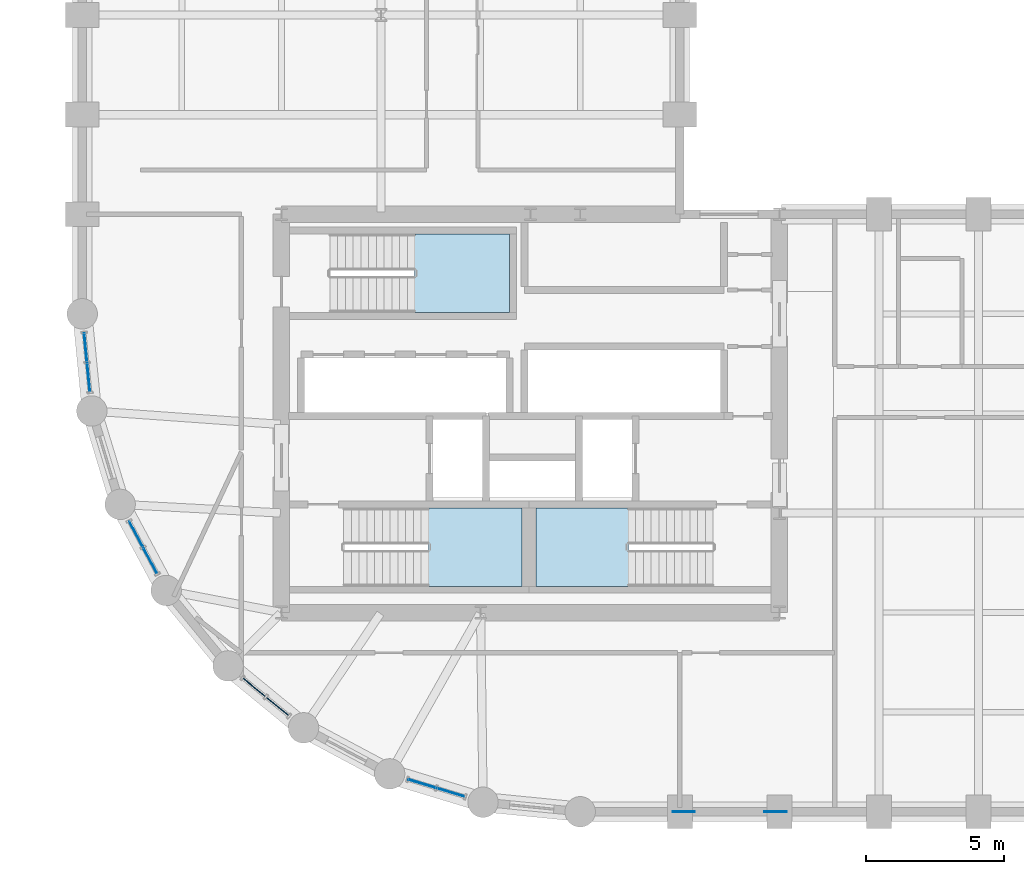
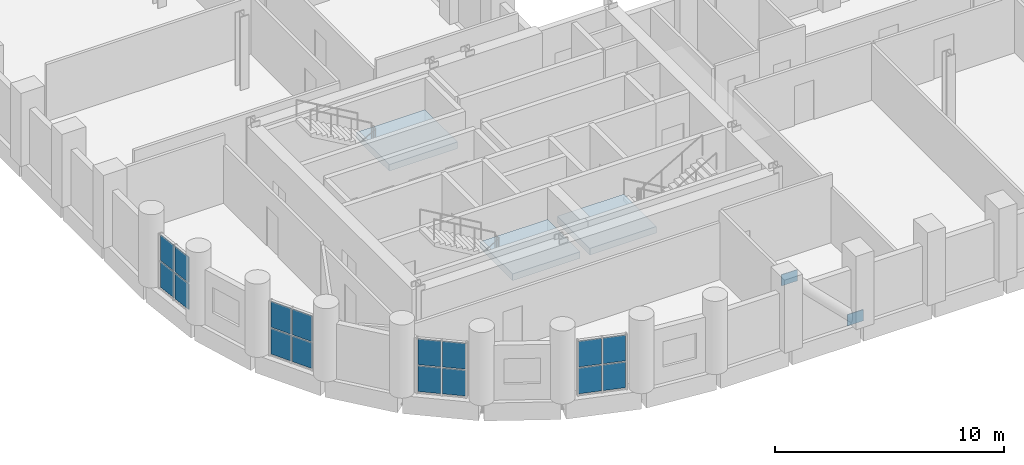
# One storey, part 7 of 13: 18 plates, 3 slabs, 7 elements without a shape of their own.
"""IFC4 building model written with IfcOpenShell, lengths in metres."""

from ifc_helpers import new_model, si_unit, direction, frame, origin, origin_2d, place, context, subcontext, project, spatial, polyline, rectangle, outline, extrude, material, layer, layer_set, type_object, element, aggregate, save


model = new_model("IFC4")

# Units and contexts
model_context = context("Model", 3, precision=1e-05, world=origin(), true_north=direction((0.0, 1.0)))
body_context = subcontext(model_context, "Body", "Model", "MODEL_VIEW")
ifc_project = project(units=[si_unit("LENGTHUNIT", "METRE"), si_unit("AREAUNIT", "SQUARE_METRE"), si_unit("VOLUMEUNIT", "CUBIC_METRE"), si_unit("PLANEANGLEUNIT", "RADIAN"), si_unit("MASSUNIT", "GRAM", prefix="KILO")], contexts=[model_context])

# Site, building, storey
site_placement = place(None, origin())
site = spatial("IfcSite", under=ifc_project, at=site_placement, CompositionType="ELEMENT")
building_placement = place(site_placement, origin())
building = spatial("IfcBuilding", under=site, at=building_placement, Name="Solnavia Interchange Tower", CompositionType="ELEMENT")
storey_placement = place(building_placement, frame((0.0, 0.0, 51.300048828125)))
storey = spatial("IfcBuildingStorey", under=building, at=storey_placement, Name="L12", CompositionType="ELEMENT", Elevation=51.300048828125)

# Curtain wall, plates
ifc_material_1 = material(Name="Aluminium Alloy 6063-T6", Category="aluminium")
ifc_layer_1 = layer(ifc_material_1, 0.239990234375)
ifc_layer_set_1 = layer_set([ifc_layer_1], Name="Aluminium Alloy 6063-T6")
curtain_wall_type = type_object("IfcCurtainWallType", Name="CurtainWall-Drum-CTW2", PredefinedType="NOTDEFINED", material=ifc_layer_set_1)
curtain_wall_1_placement = place(storey_placement, origin())
curtain_wall_1 = element("IfcCurtainWall", 1, at=curtain_wall_1_placement, inside=storey, type_object=curtain_wall_type, Name="CTW-L12-D59 CTW-2 curtain wall", PredefinedType="NOTDEFINED")
ifc_material_2 = material(Name="Double-Glazed Low-E IGU Glass", Category="glass")
ifc_layer_2 = layer(ifc_material_2, 0.031982421875)
ifc_layer_set_2 = layer_set([ifc_layer_2], Name="Double-Glazed Low-E IGU Glass")
plate_type_1 = type_object("IfcPlateType", Name="CW-Panel-Solar-32", PredefinedType="CURTAIN_PANEL", material=ifc_layer_set_2)
plate_1_placement = place(storey_placement, frame((7.319580078125, 20.38623046875, 0.06494140625), z_axis=(0.0, 0.0, 1.0), x_axis=(0.098045297616, -0.995181953019, 0.0)))
plate_1 = element("IfcPlate", 2, at=plate_1_placement, type_object=plate_type_1, Name="CTW-2 panel 1.1", PredefinedType="CURTAIN_PANEL", context=body_context, shape_type="SweptSolid", body=[
    extrude(rectangle(XDim=1.0146484375, YDim=0.031982421875, at=origin_2d()), origin(), (0.0, 0.0, 1.0), 1.367431640625),
])
plate_2_placement = place(storey_placement, frame((7.319580078125, 20.38623046875, 1.49755859375), z_axis=(0.0, 0.0, 1.0), x_axis=(0.098045297616, -0.995181953019, 0.0)))
plate_2 = element("IfcPlate", 3, at=plate_2_placement, type_object=plate_type_1, Name="CTW-2 panel 1.2", PredefinedType="CURTAIN_PANEL", context=body_context, shape_type="SweptSolid", body=[
    extrude(rectangle(XDim=1.0146484375, YDim=0.031982421875, at=origin_2d()), origin(), (0.0, 0.0, 1.0), 1.367431640625),
])
plate_3_placement = place(storey_placement, frame((7.426513671875, 19.3017578125, 0.06494140625), z_axis=(0.0, 0.0, 1.0), x_axis=(0.098045297616, -0.995181953019, 0.0)))
plate_3 = element("IfcPlate", 4, at=plate_3_placement, type_object=plate_type_1, Name="CTW-2 panel 2.1", PredefinedType="CURTAIN_PANEL", context=body_context, shape_type="SweptSolid", body=[
    extrude(rectangle(XDim=1.0146484375, YDim=0.031982421875, at=origin_2d()), origin(), (0.0, 0.0, 1.0), 1.367431640625),
])
plate_4_placement = place(storey_placement, frame((7.426513671875, 19.3017578125, 1.49755859375), z_axis=(0.0, 0.0, 1.0), x_axis=(0.098045297616, -0.995181953019, 0.0)))
plate_4 = element("IfcPlate", 5, at=plate_4_placement, type_object=plate_type_1, Name="CTW-2 panel 2.2", PredefinedType="CURTAIN_PANEL", context=body_context, shape_type="SweptSolid", body=[
    extrude(rectangle(XDim=1.0146484375, YDim=0.031982421875, at=origin_2d()), origin(), (0.0, 0.0, 1.0), 1.367431640625),
])
aggregate(curtain_wall_1, [plate_1, plate_2, plate_3, plate_4])

curtain_wall_2_placement = place(storey_placement, origin())
curtain_wall_2 = element("IfcCurtainWall", 6, at=curtain_wall_2_placement, inside=storey, type_object=curtain_wall_type, Name="CTW-L12-D61 CTW-2 curtain wall", PredefinedType="NOTDEFINED")
plate_5_placement = place(storey_placement, frame((9.14501953125, 13.636474609375, 0.06494140625), z_axis=(0.0, 0.0, 1.0), x_axis=(0.471536719402, -0.881846427818, 0.0)))
plate_5 = element("IfcPlate", 7, at=plate_5_placement, type_object=plate_type_1, Name="CTW-2 panel 1.1", PredefinedType="CURTAIN_PANEL", context=body_context, shape_type="SweptSolid", body=[
    extrude(rectangle(XDim=1.014404296875, YDim=0.031982421875, at=origin_2d()), origin(), (0.0, 0.0, 1.0), 1.367431640625),
])
plate_6_placement = place(storey_placement, frame((9.14501953125, 13.636474609375, 1.49755859375), z_axis=(0.0, 0.0, 1.0), x_axis=(0.471536719402, -0.881846427818, 0.0)))
plate_6 = element("IfcPlate", 8, at=plate_6_placement, type_object=plate_type_1, Name="CTW-2 panel 1.2", PredefinedType="CURTAIN_PANEL", context=body_context, shape_type="SweptSolid", body=[
    extrude(rectangle(XDim=1.014404296875, YDim=0.031982421875, at=origin_2d()), origin(), (0.0, 0.0, 1.0), 1.367431640625),
])
plate_7_placement = place(storey_placement, frame((9.658935546875, 12.675537109375, 0.06494140625), z_axis=(0.0, 0.0, 1.0), x_axis=(0.471536719402, -0.881846427818, 0.0)))
plate_7 = element("IfcPlate", 9, at=plate_7_placement, type_object=plate_type_1, Name="CTW-2 panel 2.1", PredefinedType="CURTAIN_PANEL", context=body_context, shape_type="SweptSolid", body=[
    extrude(rectangle(XDim=1.014404296875, YDim=0.031982421875, at=origin_2d()), origin(), (0.0, 0.0, 1.0), 1.367431640625),
])
plate_8_placement = place(storey_placement, frame((9.658935546875, 12.675537109375, 1.49755859375), z_axis=(0.0, 0.0, 1.0), x_axis=(0.471536719402, -0.881846427818, 0.0)))
plate_8 = element("IfcPlate", 10, at=plate_8_placement, type_object=plate_type_1, Name="CTW-2 panel 2.2", PredefinedType="CURTAIN_PANEL", context=body_context, shape_type="SweptSolid", body=[
    extrude(rectangle(XDim=1.014404296875, YDim=0.031982421875, at=origin_2d()), origin(), (0.0, 0.0, 1.0), 1.367431640625),
])
aggregate(curtain_wall_2, [plate_5, plate_6, plate_7, plate_8])

curtain_wall_3_placement = place(storey_placement, origin())
curtain_wall_3 = element("IfcCurtainWall", 11, at=curtain_wall_3_placement, inside=storey, type_object=curtain_wall_type, Name="CTW-L12-D63 CTW-2 curtain wall", PredefinedType="NOTDEFINED")
plate_9_placement = place(storey_placement, frame((13.4150390625, 8.098388671875, 0.06494140625), z_axis=(0.0, 0.0, 1.0), x_axis=(0.773094572227, -0.634290771172, 0.0)))
plate_9 = element("IfcPlate", 12, at=plate_9_placement, type_object=plate_type_1, Name="CTW-2 panel 1.1", PredefinedType="CURTAIN_PANEL", context=body_context, shape_type="SweptSolid", body=[
    extrude(rectangle(XDim=1.01416015625, YDim=0.031982421875, at=origin_2d()), origin(), (0.0, 0.0, 1.0), 1.367431640625),
])
plate_10_placement = place(storey_placement, frame((13.4150390625, 8.098388671875, 1.49755859375), z_axis=(0.0, 0.0, 1.0), x_axis=(0.773094572227, -0.634290771172, 0.0)))
plate_10 = element("IfcPlate", 13, at=plate_10_placement, type_object=plate_type_1, Name="CTW-2 panel 1.2", PredefinedType="CURTAIN_PANEL", context=body_context, shape_type="SweptSolid", body=[
    extrude(rectangle(XDim=1.01416015625, YDim=0.031982421875, at=origin_2d()), origin(), (0.0, 0.0, 1.0), 1.367431640625),
])
plate_11_placement = place(storey_placement, frame((14.257080078125, 7.407470703125, 0.06494140625), z_axis=(0.0, 0.0, 1.0), x_axis=(0.773094572227, -0.634290771172, 0.0)))
plate_11 = element("IfcPlate", 14, at=plate_11_placement, type_object=plate_type_1, Name="CTW-2 panel 2.1", PredefinedType="CURTAIN_PANEL", context=body_context, shape_type="SweptSolid", body=[
    extrude(rectangle(XDim=1.01416015625, YDim=0.031982421875, at=origin_2d()), origin(), (0.0, 0.0, 1.0), 1.367431640625),
])
plate_12_placement = place(storey_placement, frame((14.257080078125, 7.407470703125, 1.49755859375), z_axis=(0.0, 0.0, 1.0), x_axis=(0.773094572227, -0.634290771172, 0.0)))
plate_12 = element("IfcPlate", 15, at=plate_12_placement, type_object=plate_type_1, Name="CTW-2 panel 2.2", PredefinedType="CURTAIN_PANEL", context=body_context, shape_type="SweptSolid", body=[
    extrude(rectangle(XDim=1.01416015625, YDim=0.031982421875, at=origin_2d()), origin(), (0.0, 0.0, 1.0), 1.367431640625),
])
aggregate(curtain_wall_3, [plate_9, plate_10, plate_11, plate_12])

curtain_wall_4_placement = place(storey_placement, origin())
curtain_wall_4 = element("IfcCurtainWall", 16, at=curtain_wall_4_placement, inside=storey, type_object=curtain_wall_type, Name="CTW-L12-D65 CTW-2 curtain wall", PredefinedType="NOTDEFINED")
plate_13_placement = place(storey_placement, frame((19.47900390625, 4.615966796875, 0.06494140625), z_axis=(0.0, 0.0, 1.0), x_axis=(0.956934759739, -0.290303058206, 0.0)))
plate_13 = element("IfcPlate", 17, at=plate_13_placement, type_object=plate_type_1, Name="CTW-2 panel 1.1", PredefinedType="CURTAIN_PANEL", context=body_context, shape_type="SweptSolid", body=[
    extrude(rectangle(XDim=1.013916015625, YDim=0.031982421875, at=origin_2d()), origin(), (0.0, 0.0, 1.0), 1.367431640625),
])
plate_14_placement = place(storey_placement, frame((19.47900390625, 4.615966796875, 1.49755859375), z_axis=(0.0, 0.0, 1.0), x_axis=(0.956934759739, -0.290303058206, 0.0)))
plate_14 = element("IfcPlate", 18, at=plate_14_placement, type_object=plate_type_1, Name="CTW-2 panel 1.2", PredefinedType="CURTAIN_PANEL", context=body_context, shape_type="SweptSolid", body=[
    extrude(rectangle(XDim=1.013916015625, YDim=0.031982421875, at=origin_2d()), origin(), (0.0, 0.0, 1.0), 1.367431640625),
])
plate_15_placement = place(storey_placement, frame((20.52099609375, 4.300048828125, 0.06494140625), z_axis=(0.0, 0.0, 1.0), x_axis=(0.956934759739, -0.290303058206, 0.0)))
plate_15 = element("IfcPlate", 19, at=plate_15_placement, type_object=plate_type_1, Name="CTW-2 panel 2.1", PredefinedType="CURTAIN_PANEL", context=body_context, shape_type="SweptSolid", body=[
    extrude(rectangle(XDim=1.013916015625, YDim=0.031982421875, at=origin_2d()), origin(), (0.0, 0.0, 1.0), 1.367431640625),
])
plate_16_placement = place(storey_placement, frame((20.52099609375, 4.300048828125, 1.49755859375), z_axis=(0.0, 0.0, 1.0), x_axis=(0.956934759739, -0.290303058206, 0.0)))
plate_16 = element("IfcPlate", 20, at=plate_16_placement, type_object=plate_type_1, Name="CTW-2 panel 2.2", PredefinedType="CURTAIN_PANEL", context=body_context, shape_type="SweptSolid", body=[
    extrude(rectangle(XDim=1.013916015625, YDim=0.031982421875, at=origin_2d()), origin(), (0.0, 0.0, 1.0), 1.367431640625),
])
aggregate(curtain_wall_4, [plate_13, plate_14, plate_15, plate_16])

# Plates
ifc_material_3 = material(Name="Steel S460", Category="steel")
ifc_layer_3 = layer(ifc_material_3, 0.035888671875)
ifc_layer_set_3 = layer_set([ifc_layer_3], Name="Steel S460")
plate_type_2 = type_object("IfcPlateType", Name="Plate-Gusset-800x600x36", PredefinedType="USERDEFINED", material=ifc_layer_set_3)
for number, where, z_axis, x_axis, name in (
    (21, (32.260009765625, 3.60009765625, -0.1201171875), (0.0, 0.0, 1.0), (-1.0, 0.0, 0.0), "PLT-L12-GP01 Perimeter brace gusset plate"),
    (22, (28.93994140625, 3.60009765625, 3.169921875), (0.0, 0.0, 1.0), (-1.0, 0.0, 0.0), "PLT-L12-GP02 Perimeter brace gusset plate"),
):
    element("IfcPlate", number, at=place(storey_placement, frame(where, z_axis=z_axis, x_axis=x_axis)), inside=storey, type_object=plate_type_2, Name=name, ObjectType="GUSSET PLATE", PredefinedType="USERDEFINED", context=body_context, shape_type="SweptSolid", body=[
        extrude(rectangle(XDim=0.800048828125, YDim=0.035888671875, at=origin_2d()), origin(), (0.0, 0.0, 1.0), 0.60009765625),
    ])

# Stair, slab
ifc_material_4 = material(Name="Concrete C40/50", Category="concrete")
stair_type = type_object("IfcStairType", Name="Stair-Dogleg-RC", PredefinedType="HALF_TURN_STAIR", material=ifc_material_4)
stair_1_placement = place(storey_placement, origin())
stair_1 = element("IfcStair", 23, at=stair_1_placement, inside=storey, type_object=stair_type, Name="L12 Core exit stair 1", PredefinedType="HALF_TURN_STAIR")
ifc_layer_4 = layer(ifc_material_4, 0.35009765625)
ifc_layer_set_4 = layer_set([ifc_layer_4], Name="Concrete C40/50")
slab_type = type_object("IfcSlabType", Name="Slab-StairLanding-350", PredefinedType="LANDING", material=ifc_layer_set_4)
slab_1_placement = place(storey_placement, frame((0.0, 0.0, 1.599853515625)))
slab_1 = element("IfcSlab", 24, at=slab_1_placement, type_object=slab_type, Name="ST-1 landing 1", PredefinedType="LANDING", context=body_context, shape_type="SweptSolid", body=[
    extrude(outline(polyline([(19.7080078125, 11.75), (23.10009765625, 11.75), (23.10009765625, 14.590087890625), (19.7080078125, 14.590087890625), (19.7080078125, 11.75)])), origin(), (0.0, 0.0, 1.0), 0.35009765625),
])
aggregate(stair_1, [slab_1])

stair_2_placement = place(storey_placement, origin())
stair_2 = element("IfcStair", 25, at=stair_2_placement, inside=storey, type_object=stair_type, Name="L12 Core exit stair 2", PredefinedType="HALF_TURN_STAIR")
slab_2_placement = place(storey_placement, frame((0.0, 0.0, 1.599853515625)))
slab_2 = element("IfcSlab", 26, at=slab_2_placement, type_object=slab_type, Name="ST-2 landing 1", PredefinedType="LANDING", context=body_context, shape_type="SweptSolid", body=[
    extrude(outline(polyline([(23.60009765625, 11.75), (26.94189453125, 11.75), (26.94189453125, 14.590087890625), (23.60009765625, 14.590087890625), (23.60009765625, 11.75)])), origin(), (0.0, 0.0, 1.0), 0.35009765625),
])
aggregate(stair_2, [slab_2])

stair_3_placement = place(storey_placement, origin())
stair_3 = element("IfcStair", 27, at=stair_3_placement, inside=storey, type_object=stair_type, Name="L12 Core exit stair 3", PredefinedType="HALF_TURN_STAIR")
slab_3_placement = place(storey_placement, frame((0.0, 0.0, 1.599853515625)))
slab_3 = element("IfcSlab", 28, at=slab_3_placement, type_object=slab_type, Name="ST-3 landing 1", PredefinedType="LANDING", context=body_context, shape_type="SweptSolid", body=[
    extrude(outline(polyline([(19.2080078125, 21.64990234375), (22.64990234375, 21.64990234375), (22.64990234375, 24.489990234375), (19.2080078125, 24.489990234375), (19.2080078125, 21.64990234375)])), origin(), (0.0, 0.0, 1.0), 0.35009765625),
])
aggregate(stair_3, [slab_3])

save(model, "model.ifc")
